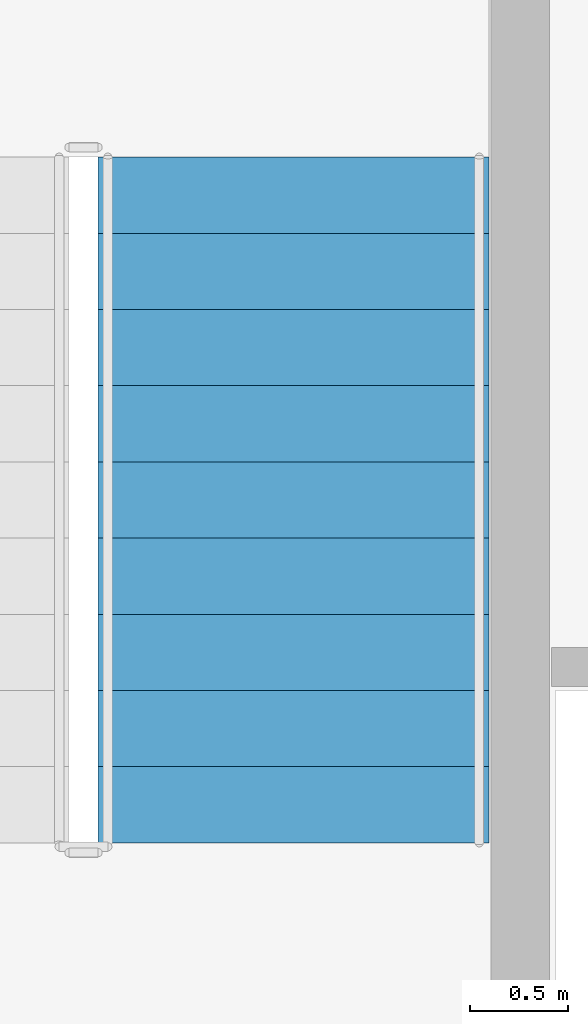
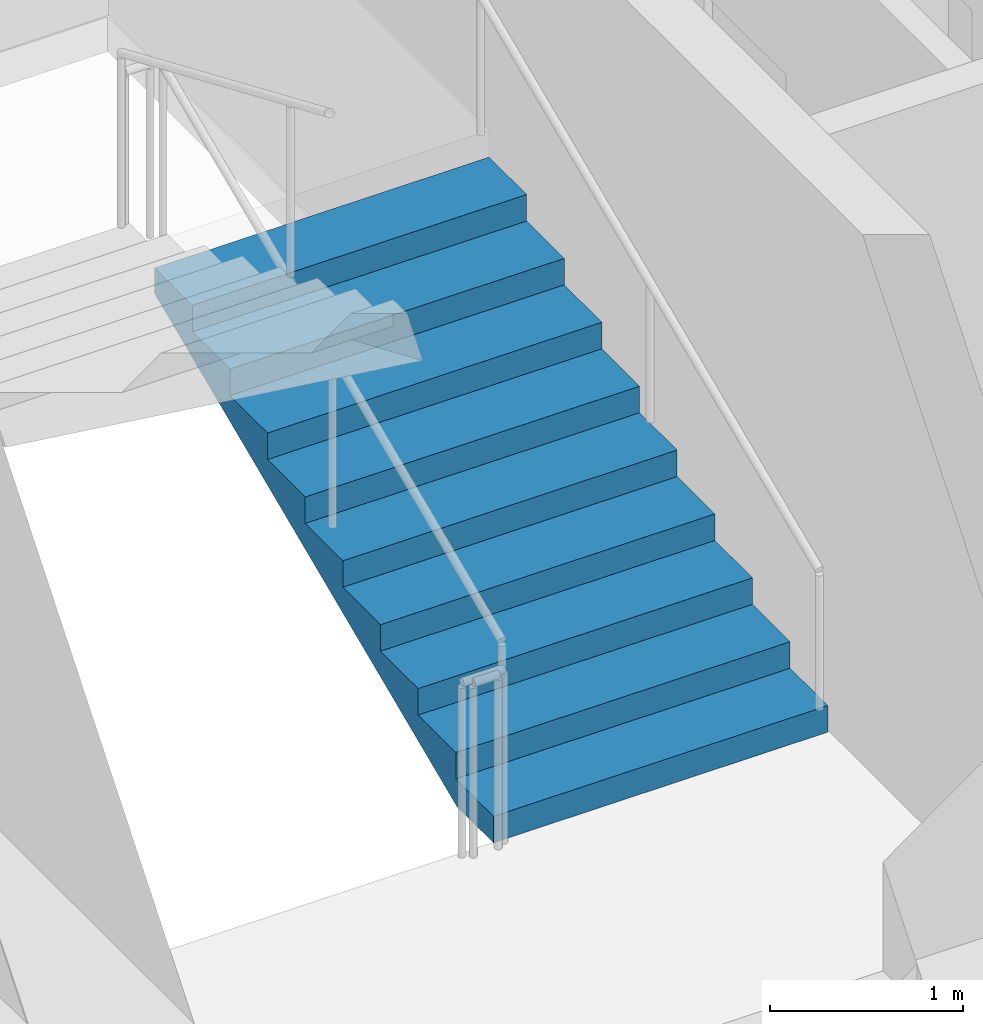
# One storey, part 26 of 30: 1 stair flight, 1 element without a shape of its own.
"""IFC4 building model written with IfcOpenShell, lengths in metres."""

import ifcopenshell
import ifcopenshell.guid

model = None  # the IFC model being written
_history = None  # IfcOwnerHistory: only IFC2X3 demands one
_inside = {}  # id of a spatial element -> (the spatial element, [elements in it])
_under = {}  # id of a project, library or spatial element -> (it, [spatial elements below it])
_declared = {}  # id of a project -> (the project, [libraries it declares])
_typed = {}  # id of a type object -> (the type object, [elements of that type])
_made_of = {}  # id of a material, layer set ... -> (it, [elements and type objects made of it])


def new_model(schema):
    """Start an empty IFC model of exactly this schema.

    Asked for "IFC4X3", IfcOpenShell would pick the latest addendum, in which some entities
    have other attributes; the version numbers below select the first issue.
    IFC2X3 requires an IfcOwnerHistory on every rooted entity: one is made here for all.
    """
    global model, _history
    if schema == "IFC4X3":
        model = ifcopenshell.file(schema_version=(4, 3, 0, 0))
    else:
        model = ifcopenshell.file(schema=schema)
    _inside.clear()
    _under.clear()
    _declared.clear()
    _typed.clear()
    _made_of.clear()
    _history = None
    if model.schema == "IFC2X3":
        org = make("IfcOrganization", Name="unknown")
        user = make(
            "IfcPersonAndOrganization",
            ThePerson=make("IfcPerson", FamilyName="unknown"),
            TheOrganization=org,
        )
        app = make(
            "IfcApplication",
            ApplicationDeveloper=org,
            Version="unknown",
            ApplicationFullName="unknown",
            ApplicationIdentifier="unknown",
        )
        _history = make(
            "IfcOwnerHistory",
            OwningUser=user,
            OwningApplication=app,
            ChangeAction="ADDED",
            CreationDate=0,
        )
    return model


def make(cls, **values):
    """One entity of the class cls with the attributes given. An attribute that is None is left unset."""
    return model.create_entity(
        cls, **{name: value for name, value in values.items() if value is not None}
    )


def rooted(cls, **values):
    """An entity with a GlobalId (a new one), such as an element, a storey or a relation."""
    return make(cls, GlobalId=ifcopenshell.guid.new(), OwnerHistory=_history, **values)


def si_unit(unit_type, name, prefix=None):
    """IfcSIUnit, for example si_unit("LENGTHUNIT", "METRE", prefix="MILLI")."""
    return make("IfcSIUnit", UnitType=unit_type, Prefix=prefix, Name=name)


def assignment(units):
    """IfcUnitAssignment: the units of a project."""
    return None if units is None else make("IfcUnitAssignment", Units=units)


def point(xyz):
    """IfcCartesianPoint."""
    return None if xyz is None else make("IfcCartesianPoint", Coordinates=xyz)


def direction(xyz):
    """IfcDirection."""
    return None if xyz is None else make("IfcDirection", DirectionRatios=xyz)


def frame(location, z_axis=None, x_axis=None):
    """IfcAxis2Placement3D, a coordinate frame: its origin and axes. An axis left out is left unset."""
    return make(
        "IfcAxis2Placement3D",
        Location=point(location),
        Axis=direction(z_axis),
        RefDirection=direction(x_axis),
    )


def origin():
    """The frame at (0, 0, 0) with its axes left unset."""
    return frame((0.0, 0.0, 0.0))


def place(relative_to, where):
    """IfcLocalPlacement: puts the frame where relative to a parent placement (None: the world)."""
    return make(
        "IfcLocalPlacement", PlacementRelTo=relative_to, RelativePlacement=where
    )


def context(
    kind, dimensions, precision=None, world=None, true_north=None, identifier=None
):
    """IfcGeometricRepresentationContext, for example the 3D "Model" context."""
    return make(
        "IfcGeometricRepresentationContext",
        ContextIdentifier=identifier,
        ContextType=kind,
        CoordinateSpaceDimension=dimensions,
        Precision=precision,
        WorldCoordinateSystem=world,
        TrueNorth=true_north,
    )


def subcontext(parent, identifier, kind, view, scale=None):
    """IfcGeometricRepresentationSubContext, for example "Body" below "Model"."""
    return make(
        "IfcGeometricRepresentationSubContext",
        ContextIdentifier=identifier,
        ContextType=kind,
        ParentContext=parent,
        TargetScale=scale,
        TargetView=view,
    )


def project(units=None, contexts=None):
    """IfcProject with its units and contexts."""
    return rooted(
        "IfcProject",
        Name="project",
        RepresentationContexts=contexts,
        UnitsInContext=assignment(units),
    )


def spatial(cls, under=None, at=None, **own):
    """A site, building, storey or space (cls), placed at a placement, below another one or the project."""
    s = rooted(cls, ObjectPlacement=at, **own)
    if under is not None:
        _under.setdefault(under.id(), (under, []))[1].append(s)
    return s


def polyline(points):
    """IfcPolyline through the points."""
    return make("IfcPolyline", Points=[point(p) for p in points])


def outline(outer, holes=None, kind="AREA"):
    """IfcArbitraryClosedProfileDef: a profile drawn as a closed curve; with holes, ...WithVoids."""
    if holes is None:
        return make("IfcArbitraryClosedProfileDef", ProfileType=kind, OuterCurve=outer)
    return make(
        "IfcArbitraryProfileDefWithVoids",
        ProfileType=kind,
        OuterCurve=outer,
        InnerCurves=holes,
    )


def extrude(swept, where, along, depth):
    """IfcExtrudedAreaSolid: the profile swept, set in the frame where, extruded along a direction by depth."""
    return make(
        "IfcExtrudedAreaSolid",
        SweptArea=swept,
        Position=where,
        ExtrudedDirection=direction(along),
        Depth=depth,
    )


def shape(context_of_items, identifier, shape_type, items):
    """IfcShapeRepresentation: the items that make up one representation, for example the "Body"."""
    return make(
        "IfcShapeRepresentation",
        ContextOfItems=context_of_items,
        RepresentationIdentifier=identifier,
        RepresentationType=shape_type,
        Items=items,
    )


def material(Name=None, Category=None):
    """IfcMaterial."""
    return make("IfcMaterial", Name=Name, Category=Category)


def made_of(thing, what):
    """Note that an element or type object is made of a material, layer set ...; save() writes the relation."""
    if what is not None:
        _made_of.setdefault(what.id(), (what, []))[1].append(thing)
    return thing


def type_object(cls, material=None, **own):
    """A type object (cls), such as IfcWallType, which elements share."""
    return made_of(rooted(cls, **own), material)


def element(
    cls,
    number,
    at=None,
    inside=None,
    cuts=None,
    type_object=None,
    material=None,
    context=None,
    identifier="Body",
    shape_type=None,
    held_by="IfcProductDefinitionShape",
    body=None,
    shapes=None,
    **own,
):
    """One element of the class cls, such as IfcWall. Its Tag is "e" and its number.

    at: its placement. inside: the storey or other place that contains it. cuts: it is an
    opening in that element (IfcRelVoidsElement). A single representation is given by context,
    identifier, shape_type and body (its items); several are given by shapes. held_by: the class
    of the entity that holds the representations. save() writes the other relations.
    """
    e = rooted(cls, Tag="e%d" % number, ObjectPlacement=at, **own)
    if body is not None:
        shapes = [shape(context, identifier, shape_type, body)]
    if shapes is not None:
        e.Representation = make(held_by, Representations=shapes)
    if inside is not None:
        _inside.setdefault(inside.id(), (inside, []))[1].append(e)
    if cuts is not None:
        rooted(
            "IfcRelVoidsElement", RelatingBuildingElement=cuts, RelatedOpeningElement=e
        )
    if type_object is not None:
        _typed.setdefault(type_object.id(), (type_object, []))[1].append(e)
    return made_of(e, material)


def aggregate(whole, parts):
    """IfcRelAggregates: a whole, such as a stair, and the parts it consists of."""
    return rooted("IfcRelAggregates", RelatingObject=whole, RelatedObjects=parts)


def save(model, path):
    """Write the relations noted so far, then the file.

    IfcRelAggregates (storeys below a building ...), IfcRelContainedInSpatialStructure (elements
    in a storey), IfcRelDefinesByType, IfcRelAssociatesMaterial and IfcRelDeclares: one each for
    every whole, place, type object, material and project.
    """
    for whole, parts in _under.values():
        aggregate(whole, parts)
    for where, things in _inside.values():
        rooted(
            "IfcRelContainedInSpatialStructure",
            RelatedElements=things,
            RelatingStructure=where,
        )
    for kind, things in _typed.values():
        rooted("IfcRelDefinesByType", RelatedObjects=things, RelatingType=kind)
    for what, things in _made_of.values():
        rooted("IfcRelAssociatesMaterial", RelatedObjects=things, RelatingMaterial=what)
    for by, libraries in _declared.values():
        rooted("IfcRelDeclares", RelatingContext=by, RelatedDefinitions=libraries)
    model.write(path)


model = new_model("IFC4")

# Units and contexts
model_context = context("Model", 3, precision=1e-05, world=origin(), true_north=direction((0.0, 1.0)))
body_context = subcontext(model_context, "Body", "Model", "MODEL_VIEW")
ifc_project = project(units=[si_unit("LENGTHUNIT", "METRE"), si_unit("AREAUNIT", "SQUARE_METRE"), si_unit("VOLUMEUNIT", "CUBIC_METRE"), si_unit("PLANEANGLEUNIT", "RADIAN"), si_unit("MASSUNIT", "GRAM", prefix="KILO")], contexts=[model_context])

# Site, building, storey
site_placement = place(None, origin())
site = spatial("IfcSite", under=ifc_project, at=site_placement, CompositionType="ELEMENT")
building_placement = place(site_placement, origin())
building = spatial("IfcBuilding", under=site, at=building_placement, Name="Hatsunagi Terrace Concourse", CompositionType="ELEMENT")
storey_placement = place(building_placement, frame((0.0, 0.0, 74.60009765625)))
storey = spatial("IfcBuildingStorey", under=building, at=storey_placement, Name="L19", CompositionType="ELEMENT", Elevation=74.60009765625)

# Stair, stair flight
ifc_material_1 = material(Name="Concrete Fc42", Category="concrete")
stair_type = type_object("IfcStairType", Name="DoglegExitStair_Tower2000_20R_168", PredefinedType="HALF_TURN_STAIR", material=ifc_material_1)
stair_placement = place(storey_placement, origin())
stair = element("IfcStair", 1, at=stair_placement, inside=storey, type_object=stair_type, Name="L19 Core A Protected Exit Stair ST-A", PredefinedType="HALF_TURN_STAIR")
ifc_material_2 = material(Name="Concrete Fc42", Category="concrete")
stair_flight_type = type_object("IfcStairFlightType", Name="DoglegStairFlight_Tower2000_20R_168", PredefinedType="STRAIGHT", material=ifc_material_2)
stair_flight_placement = place(storey_placement, frame((29.3798828125, 35.199951171875, 0.0), z_axis=(0.0, 0.0, 1.0), x_axis=(0.0, 1.0, 0.0)))
stair_flight = element("IfcStairFlight", 2, at=stair_flight_placement, type_object=stair_flight_type, Name="ST-A flight 1", NumberOfRisers=10, NumberOfTreads=9, PredefinedType="STRAIGHT", RiserHeight=0.1675, TreadLength=0.39, context=body_context, shape_type="SweptSolid", body=[
    extrude(outline(polyline([(0.0, 0.0), (0.0, 0.16748046875), (0.389892578125, 0.16748046875), (0.389892578125, 0.3349609375), (0.780029296875, 0.3349609375), (0.780029296875, 0.50244140625), (1.169921875, 0.50244140625), (1.169921875, 0.669921875), (1.56005859375, 0.669921875), (1.56005859375, 0.83740234375), (1.949951171875, 0.83740234375), (1.949951171875, 1.0048828125), (2.340087890625, 1.0048828125), (2.340087890625, 1.172607421875), (2.72998046875, 1.172607421875), (2.72998046875, 1.340087890625), (3.1201171875, 1.340087890625), (3.1201171875, 1.507568359375), (3.510009765625, 1.507568359375), (3.510009765625, 1.675048828125), (3.510009765625, 1.34423828125), (0.3798828125, 0.0), (0.0, 0.0)])), frame((0.0, 1.0, 0.0), z_axis=(0.0, -1.0, 0.0), x_axis=(1.0, 0.0, 0.0)), (0.0, 0.0, 1.0), 2.0),
])
aggregate(stair, [stair_flight])

save(model, "model.ifc")
